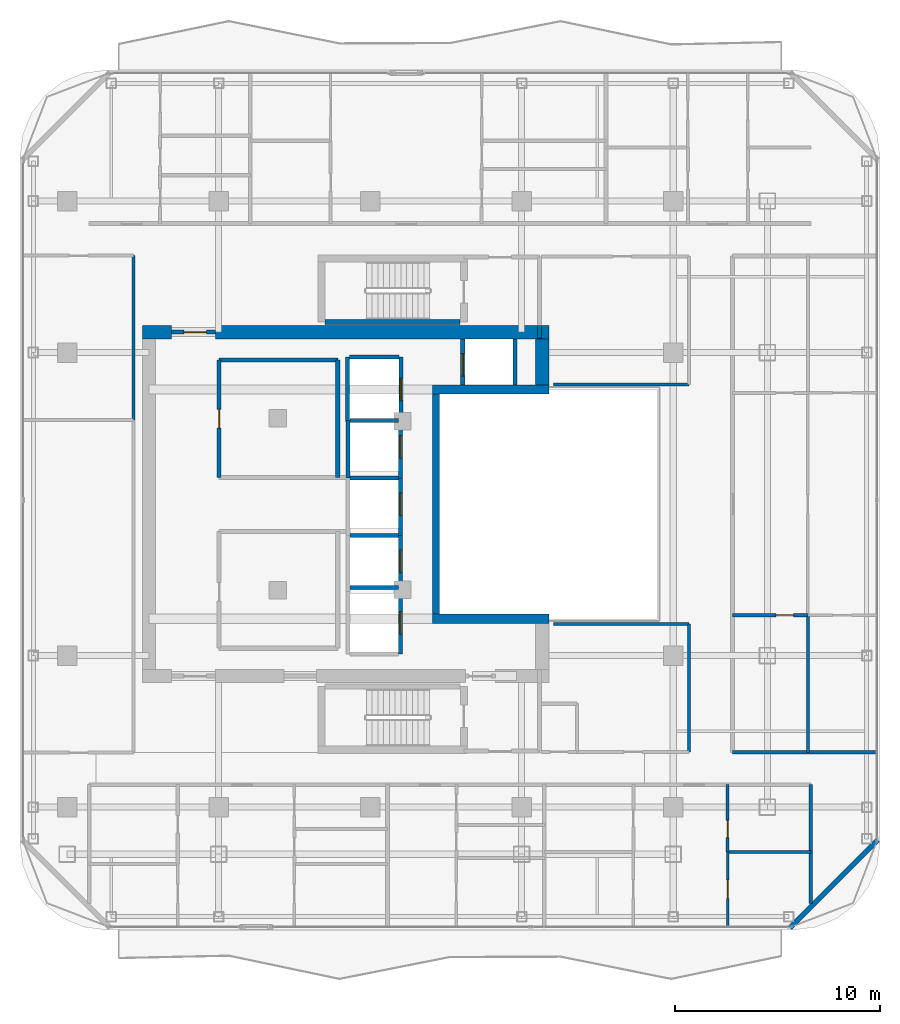
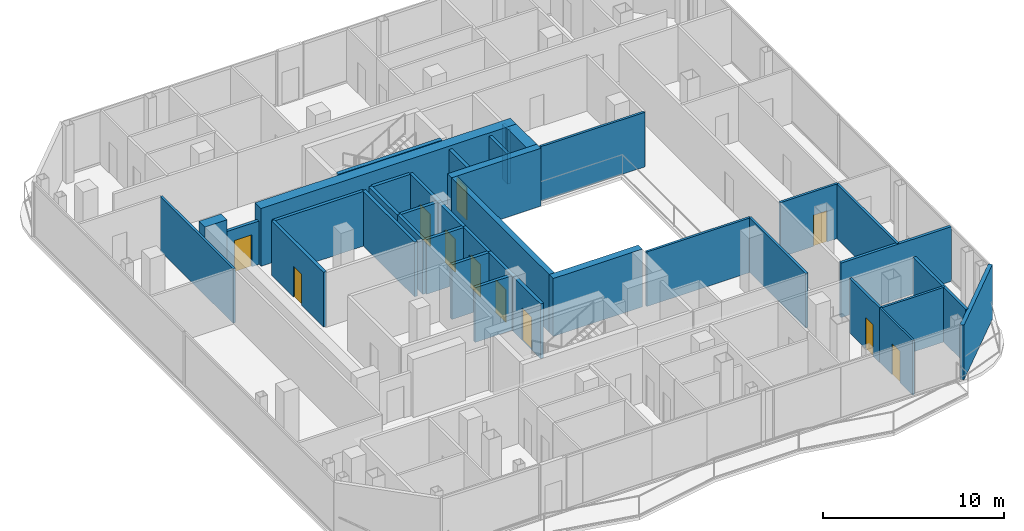
# One storey, part 18 of 23: 38 walls, 11 doors, 11 openings.
"""IFC4 building model written with IfcOpenShell, lengths in metres."""

from ifc_helpers import new_model, si_unit, direction, frame, frame_2d, origin, place, context, subcontext, project, spatial, rectangle, extrude, material, layer, layer_set, type_object, element, fill, save


model = new_model("IFC4")

# Units and contexts
model_context = context("Model", 3, precision=1e-05, world=origin(), true_north=direction((0.0, 1.0)))
body_context = subcontext(model_context, "Body", "Model", "MODEL_VIEW")
ifc_project = project(units=[si_unit("LENGTHUNIT", "METRE"), si_unit("AREAUNIT", "SQUARE_METRE"), si_unit("VOLUMEUNIT", "CUBIC_METRE"), si_unit("PLANEANGLEUNIT", "RADIAN"), si_unit("MASSUNIT", "GRAM", prefix="KILO")], contexts=[model_context])

# Site, building, storey
site_placement = place(None, origin())
site = spatial("IfcSite", under=ifc_project, at=site_placement, CompositionType="ELEMENT")
building_placement = place(site_placement, origin())
building = spatial("IfcBuilding", under=site, at=building_placement, Name="Khorvyn Point Tower", CompositionType="ELEMENT")
storey_placement = place(building_placement, frame((0.0, 0.0, 274.199951171875)))
storey = spatial("IfcBuildingStorey", under=building, at=storey_placement, Name="L67", CompositionType="ELEMENT", Elevation=274.199951171875)

# Walls
ifc_material_1 = material(Name="Double acoustic gypsum on twin steel stud", Category="steel")
ifc_layer_1 = layer(ifc_material_1, 0.179931640625)
ifc_layer_set_1 = layer_set([ifc_layer_1], Name="Acoustic Double-Stud Apartment Demising Wall 180")
wall_type_1 = type_object("IfcWallType", Name="Acoustic Double-Stud Apartment Demising Wall 180", PredefinedType="PARTITIONING", material=ifc_layer_set_1)
wall_1_placement = place(storey_placement, frame((21.52001953125, -19.510009765625, 0.0), z_axis=(0.0, 0.0, 1.0), x_axis=(0.0, 1.0, 0.0)))
element("IfcWall", 1, at=wall_1_placement, inside=storey, type_object=wall_type_1, Name="Wall", PredefinedType="PARTITIONING", context=body_context, shape_type="SweptSolid", body=[
    extrude(rectangle(XDim=5.81005859375, YDim=0.179931640625, at=frame_2d((2.905029296875, 0.0))), origin(), (0.0, 0.0, 1.0), 3.679931640625),
])
wall_2_placement = place(storey_placement, frame((17.699951171875, -12.1201171875, 0.0), z_axis=(0.0, 0.0, 1.0), x_axis=(1.0, 0.0, 0.0)))
element("IfcWall", 2, at=wall_2_placement, inside=storey, type_object=wall_type_1, Name="Wall", PredefinedType="PARTITIONING", context=body_context, shape_type="SweptSolid", body=[
    extrude(rectangle(XDim=7.030029296875, YDim=0.179931640625, at=frame_2d((3.51513671875, 0.0))), origin(), (0.0, 0.0, 1.0), 3.679931640625),
])
ifc_material_2 = material(Name="Pale anodised aluminium rainscreen on steel stud", Category="steel")
ifc_layer_2 = layer(ifc_material_2, 0.239990234375)
ifc_layer_set_2 = layer_set([ifc_layer_2], Name="Anodised Aluminium Insulated Corner Spandrel Wall 240")
wall_type_2 = type_object("IfcWallType", Name="Anodised Aluminium Insulated Corner Spandrel Wall 240", PredefinedType="SOLIDWALL", material=ifc_layer_set_2)
wall_3_placement = place(storey_placement, frame((24.79248046875, -16.40771484375, 0.0), z_axis=(0.0, 0.0, 1.0), x_axis=(-0.707126925818, -0.707086635981, 0.0)))
element("IfcWall", 3, at=wall_3_placement, inside=storey, type_object=wall_type_2, Name="L67 Rounded Corner Wall SE", PredefinedType="SOLIDWALL", context=body_context, shape_type="SweptSolid", body=[
    extrude(rectangle(XDim=6.0595703125, YDim=0.239990234375, at=frame_2d((3.02978515625, 0.0))), origin(), (0.0, 0.0, 1.0), 3.679931640625),
])
ifc_material_3 = material(Name="Concrete C40/50", Category="concrete")
ifc_layer_3 = layer(ifc_material_3, 0.449951171875)
ifc_layer_set_3 = layer_set([ifc_layer_3], Name="Concrete C40/50 Core Shear Wall 450")
wall_type_3 = type_object("IfcWallType", Name="Concrete C40/50 Core Shear Wall 450", PredefinedType="SHEAR", material=ifc_layer_set_3)
for number, where, z_axis, x_axis, name in (
    (4, (3.044921875, -5.60009765625, 0.0), (0.0, 0.0, 1.0), (1.0, 0.0, 0.0), "Wall"),
    (5, (3.044921875, 5.60009765625, 0.0), (0.0, 0.0, 1.0), (1.0, 0.0, 0.0), "Wall"),
):
    element("IfcWall", number, at=place(storey_placement, frame(where, z_axis=z_axis, x_axis=x_axis)), inside=storey, type_object=wall_type_3, Name=name, PredefinedType="SHEAR", context=body_context, shape_type="SweptSolid", body=[
        extrude(rectangle(XDim=5.68017578125, YDim=0.449951171875, at=frame_2d((2.840087890625, 0.0))), origin(), (0.0, 0.0, 1.0), 3.900146484375),
    ])
ifc_layer_4 = layer(ifc_material_3, 0.64990234375)
ifc_layer_set_4 = layer_set([ifc_layer_4], Name="Concrete C40/50 Core Shear Wall 650")
wall_type_4 = type_object("IfcWallType", Name="Concrete C40/50 Core Shear Wall 650", PredefinedType="SHEAR", material=ifc_layer_set_4)
wall_4_placement = place(storey_placement, frame((-11.125, 8.39990234375, 0.0), z_axis=(0.0, 0.0, 1.0), x_axis=(1.0, 0.0, 0.0)))
element("IfcWall", 6, at=wall_4_placement, inside=storey, type_object=wall_type_4, Name="Wall", PredefinedType="SHEAR", context=body_context, shape_type="SweptSolid", body=[
    extrude(rectangle(XDim=1.425048828125, YDim=0.64990234375, at=frame_2d((0.71240234375, 0.0))), origin(), (0.0, 0.0, 1.0), 3.900146484375),
])
wall_5_placement = place(storey_placement, frame((-7.550048828125, 8.39990234375, 0.0), z_axis=(0.0, 0.0, 1.0), x_axis=(1.0, 0.0, 0.0)))
element("IfcWall", 7, at=wall_5_placement, inside=storey, type_object=wall_type_4, Name="Wall", PredefinedType="SHEAR", context=body_context, shape_type="SweptSolid", body=[
    extrude(rectangle(XDim=16.275146484375, YDim=0.64990234375, at=frame_2d((8.1376953125, 0.0))), origin(), (0.0, 0.0, 1.0), 3.900146484375),
])
wall_6_placement = place(storey_placement, frame((8.39990234375, 5.824951171875, 0.0), z_axis=(0.0, 0.0, 1.0), x_axis=(0.0, 1.0, 0.0)))
element("IfcWall", 8, at=wall_6_placement, inside=storey, type_object=wall_type_4, Name="Wall", PredefinedType="SHEAR", context=body_context, shape_type="SweptSolid", body=[
    extrude(rectangle(XDim=2.25, YDim=0.64990234375, at=frame_2d((1.125, 0.0))), origin(), (0.0, 0.0, 1.0), 3.900146484375),
])

# Wall, opening, door
ifc_layer_5 = layer(ifc_material_3, 0.199951171875)
ifc_layer_set_5 = layer_set([ifc_layer_5], Name="Concrete C40/50 Fire-Lobby Compartment Wall 200")
wall_type_5 = type_object("IfcWallType", Name="Concrete C40/50 Fire-Lobby Compartment Wall 200", PredefinedType="SOLIDWALL", material=ifc_layer_set_5)
wall_7_placement = place(storey_placement, frame((-9.699951171875, 8.39990234375, 0.0), z_axis=(0.0, 0.0, 1.0), x_axis=(1.0, 0.0, 0.0)))
wall_7 = element("IfcWall", 9, at=wall_7_placement, inside=storey, type_object=wall_type_5, Name="Wall", PredefinedType="SOLIDWALL", context=body_context, shape_type="SweptSolid", body=[
    extrude(rectangle(XDim=2.14990234375, YDim=0.199951171875, at=frame_2d((1.074951171875, 0.0))), origin(), (0.0, 0.0, 1.0), 2.920166015625),
])
opening_1_placement = place(wall_7_placement, frame((0.597900390625, 0.0, 0.0)))
opening_1 = element("IfcOpeningElement", 10, at=opening_1_placement, cuts=wall_7, Name="Opening ID-FL90", PredefinedType="OPENING", context=body_context, shape_type="SweptSolid", body=[
    extrude(rectangle(XDim=1.10009765625, YDim=2.14990234375, at=frame_2d((0.550048828125, 1.074951171875))), frame((0.0, 0.10986328125, 0.0), z_axis=(0.0, -1.0, 0.0), x_axis=(1.0, 0.0, 0.0)), (0.0, 0.0, 1.0), 0.219970703125),
])
ifc_material_4 = material(Name="Galvanised powder-coated steel", Category="steel")
door_type_1 = type_object("IfcDoorType", Name="Fire-Rated Steel Lobby and Stair Door 1100x2150", OperationType="NOTDEFINED", PredefinedType="DOOR", material=ifc_material_4)
door_1_placement = place(opening_1_placement, origin())
door_1 = element("IfcDoor", 11, at=door_1_placement, inside=storey, type_object=door_type_1, Name="Door", OperationType="SINGLE_SWING_LEFT", OverallHeight=2.14990234375, OverallWidth=1.10009765625, PredefinedType="DOOR", context=body_context, shape_type="SweptSolid", body=[
    extrude(rectangle(XDim=1.10009765625, YDim=2.14990234375, at=frame_2d((0.550048828125, 1.074951171875))), frame((0.0, 0.02490234375, 0.0), z_axis=(0.0, -1.0, 0.0), x_axis=(1.0, 0.0, 0.0)), (0.0, 0.0, 1.0), 0.050048828125),
])
fill(opening_1, door_1)

wall_8_placement = place(storey_placement, frame((-7.3798828125, 1.300048828125, 0.0), z_axis=(0.0, 0.0, 1.0), x_axis=(0.0, 1.0, 0.0)))
wall_8 = element("IfcWall", 12, at=wall_8_placement, inside=storey, type_object=wall_type_5, Name="Wall", PredefinedType="SOLIDWALL", context=body_context, shape_type="SweptSolid", body=[
    extrude(rectangle(XDim=5.739990234375, YDim=0.199951171875, at=frame_2d((2.8701171875, 0.0))), origin(), (0.0, 0.0, 1.0), 3.679931640625),
])
opening_2_placement = place(wall_8_placement, frame((2.409912109375, 0.0, 0.0)))
opening_2 = element("IfcOpeningElement", 13, at=opening_2_placement, cuts=wall_8, Name="Opening ID-RS60", PredefinedType="OPENING", context=body_context, shape_type="SweptSolid", body=[
    extrude(rectangle(XDim=0.919921875, YDim=2.10009765625, at=frame_2d((0.4599609375, 1.050048828125))), frame((0.0, 0.10986328125, 0.0), z_axis=(0.0, -1.0, 0.0), x_axis=(1.0, 0.0, 0.0)), (0.0, 0.0, 1.0), 0.219970703125),
])
door_type_2 = type_object("IfcDoorType", Name="Fire-Rated Riser and Store Steel Door 920x2100", OperationType="NOTDEFINED", PredefinedType="DOOR", material=ifc_material_4)
door_2_placement = place(opening_2_placement, origin())
door_2 = element("IfcDoor", 14, at=door_2_placement, inside=storey, type_object=door_type_2, Name="Door", OperationType="SINGLE_SWING_LEFT", OverallHeight=2.10009765625, OverallWidth=0.919921875, PredefinedType="DOOR", context=body_context, shape_type="SweptSolid", body=[
    extrude(rectangle(XDim=0.919921875, YDim=2.10009765625, at=frame_2d((0.4599609375, 1.050048828125))), frame((0.0, 0.02490234375, 0.0), z_axis=(0.0, -1.0, 0.0), x_axis=(1.0, 0.0, 0.0)), (0.0, 0.0, 1.0), 0.050048828125),
])
fill(opening_2, door_2)

# Walls
wall_9_placement = place(storey_placement, frame((-1.580078125, 1.300048828125, 0.0), z_axis=(0.0, 0.0, 1.0), x_axis=(0.0, 1.0, 0.0)))
element("IfcWall", 15, at=wall_9_placement, inside=storey, type_object=wall_type_5, Name="Wall", PredefinedType="SOLIDWALL", context=body_context, shape_type="SweptSolid", body=[
    extrude(rectangle(XDim=5.739990234375, YDim=0.199951171875, at=frame_2d((2.8701171875, 0.0))), origin(), (0.0, 0.0, 1.0), 3.679931640625),
])
wall_10_placement = place(storey_placement, frame((-7.3798828125, 7.0400390625, 0.0), z_axis=(0.0, 0.0, 1.0), x_axis=(1.0, 0.0, 0.0)))
element("IfcWall", 16, at=wall_10_placement, inside=storey, type_object=wall_type_5, Name="Wall", PredefinedType="SOLIDWALL", context=body_context, shape_type="SweptSolid", body=[
    extrude(rectangle(XDim=5.7998046875, YDim=0.199951171875, at=frame_2d((2.89990234375, 0.0))), origin(), (0.0, 0.0, 1.0), 3.679931640625),
])
wall_11_placement = place(storey_placement, frame((8.280029296875, 8.10009765625, 0.0), z_axis=(0.0, 0.0, 1.0), x_axis=(0.0, 1.0, 0.0)))
element("IfcWall", 17, at=wall_11_placement, inside=storey, type_object=wall_type_5, Name="Wall", PredefinedType="SOLIDWALL", context=body_context, shape_type="SweptSolid", body=[
    extrude(rectangle(XDim=0.625, YDim=0.199951171875, at=frame_2d((0.3125, 0.0))), origin(), (0.0, 0.0, 1.0), 3.679931640625),
])
ifc_layer_6 = layer(ifc_material_3, 0.25)
ifc_layer_set_6 = layer_set([ifc_layer_6], Name="Concrete C40/50 Stair Inner Cheek Structural Wall 250")
wall_type_6 = type_object("IfcWallType", Name="Concrete C40/50 Stair Inner Cheek Structural Wall 250", PredefinedType="SHEAR", material=ifc_layer_set_6)
wall_12_placement = place(storey_placement, frame((-2.199951171875, 8.89990234375, 0.0), z_axis=(0.0, 0.0, 1.0), x_axis=(1.0, 0.0, 0.0)))
element("IfcWall", 18, at=wall_12_placement, inside=storey, type_object=wall_type_6, Name="Wall", PredefinedType="SHEAR", context=body_context, shape_type="SweptSolid", body=[
    extrude(rectangle(XDim=6.599853515625, YDim=0.25, at=frame_2d((3.2998046875, 0.0))), origin(), (0.0, 0.0, 1.0), 3.900146484375),
])
ifc_layer_7 = layer(ifc_material_3, 0.35009765625)
ifc_layer_set_7 = layer_set([ifc_layer_7], Name="Concrete C40/50 Stair Shaft Structural Wall 350")
wall_type_7 = type_object("IfcWallType", Name="Concrete C40/50 Stair Shaft Structural Wall 350", PredefinedType="SHEAR", material=ifc_layer_set_7)
wall_13_placement = place(storey_placement, frame((3.219970703125, -5.375, 0.0), z_axis=(0.0, 0.0, 1.0), x_axis=(0.0, 1.0, 0.0)))
element("IfcWall", 19, at=wall_13_placement, inside=storey, type_object=wall_type_7, Name="Wall", PredefinedType="SHEAR", context=body_context, shape_type="SweptSolid", body=[
    extrude(rectangle(XDim=10.75, YDim=0.35009765625, at=frame_2d((5.375, 0.0))), origin(), (0.0, 0.0, 1.0), 3.900146484375),
])

# Wall, opening, door
ifc_layer_8 = layer(ifc_material_3, 0.199951171875)
ifc_layer_set_8 = layer_set([ifc_layer_8], Name="Concrete C40/50 Structural Hoistway and Stair Shaft Wall 200")
wall_type_8 = type_object("IfcWallType", Name="Concrete C40/50 Structural Hoistway and Stair Shaft Wall 200", PredefinedType="SHEAR", material=ifc_layer_set_8)
wall_14_placement = place(storey_placement, frame((1.47509765625, -4.27490234375, 0.0), z_axis=(0.0, 0.0, 1.0), x_axis=(0.0, 1.0, 0.0)))
wall_14 = element("IfcWall", 20, at=wall_14_placement, inside=storey, type_object=wall_type_8, Name="Wall", PredefinedType="SHEAR", context=body_context, shape_type="SweptSolid", body=[
    extrude(rectangle(XDim=2.75, YDim=0.199951171875, at=frame_2d((1.375, 0.0))), origin(), (0.0, 0.0, 1.0), 3.679931640625),
])
opening_3_placement = place(wall_14_placement, frame((0.925048828125, 0.0, 0.0)))
opening_3 = element("IfcOpeningElement", 21, at=opening_3_placement, cuts=wall_14, Name="Opening LD-1122", PredefinedType="OPENING", context=body_context, shape_type="SweptSolid", body=[
    extrude(rectangle(XDim=1.10009765625, YDim=2.199951171875, at=frame_2d((0.550048828125, 1.10009765625))), frame((0.0, 0.10986328125, 0.0), z_axis=(0.0, -1.0, 0.0), x_axis=(1.0, 0.0, 0.0)), (0.0, 0.0, 1.0), 0.219970703125),
])
ifc_material_5 = material(Name="Stainless steel 1.4301", Category="steel")
door_type_3 = type_object("IfcDoorType", Name="Stainless Steel Automatic Sliding Lift Landing Door 1100x2200", OperationType="SLIDING_TO_LEFT", PredefinedType="DOOR", material=ifc_material_5)
door_3_placement = place(opening_3_placement, origin())
door_3 = element("IfcDoor", 22, at=door_3_placement, inside=storey, type_object=door_type_3, Name="L67 RH-01 Sliding Lift Landing Door", OperationType="SLIDING_TO_LEFT", OverallHeight=2.199951171875, OverallWidth=1.10009765625, PredefinedType="DOOR", context=body_context, shape_type="SweptSolid", body=[
    extrude(rectangle(XDim=1.10009765625, YDim=2.199951171875, at=frame_2d((0.550048828125, 1.10009765625))), frame((0.0, 0.02490234375, 0.0), z_axis=(0.0, -1.0, 0.0), x_axis=(1.0, 0.0, 0.0)), (0.0, 0.0, 1.0), 0.050048828125),
])
fill(opening_3, door_3)

# Walls
for number, where, z_axis, x_axis, name in (
    (23, (-0.97509765625, -4.074951171875, 0.0), (0.0, 0.0, 1.0), (1.0, 0.0, 0.0), "Wall"),
    (24, (-0.97509765625, -1.52490234375, 0.0), (0.0, 0.0, 1.0), (1.0, 0.0, 0.0), "Wall"),
):
    element("IfcWall", number, at=place(storey_placement, frame(where, z_axis=z_axis, x_axis=x_axis)), inside=storey, type_object=wall_type_8, Name=name, PredefinedType="SHEAR", context=body_context, shape_type="SweptSolid", body=[
        extrude(rectangle(XDim=2.35009765625, YDim=0.199951171875, at=frame_2d((1.175048828125, 0.0))), origin(), (0.0, 0.0, 1.0), 3.679931640625),
    ])

# Wall, opening, door
wall_15_placement = place(storey_placement, frame((1.47509765625, -1.52490234375, 0.0), z_axis=(0.0, 0.0, 1.0), x_axis=(0.0, 1.0, 0.0)))
wall_15 = element("IfcWall", 25, at=wall_15_placement, inside=storey, type_object=wall_type_8, Name="Wall", PredefinedType="SHEAR", context=body_context, shape_type="SweptSolid", body=[
    extrude(rectangle(XDim=2.7998046875, YDim=0.199951171875, at=frame_2d((1.39990234375, 0.0))), origin(), (0.0, 0.0, 1.0), 3.679931640625),
])
opening_4_placement = place(wall_15_placement, frame((0.97509765625, 0.0, 0.0)))
opening_4 = element("IfcOpeningElement", 26, at=opening_4_placement, cuts=wall_15, Name="Opening LD-1122", PredefinedType="OPENING", context=body_context, shape_type="SweptSolid", body=[
    extrude(rectangle(XDim=1.10009765625, YDim=2.199951171875, at=frame_2d((0.550048828125, 1.10009765625))), frame((0.0, 0.10986328125, 0.0), z_axis=(0.0, -1.0, 0.0), x_axis=(1.0, 0.0, 0.0)), (0.0, 0.0, 1.0), 0.219970703125),
])
door_4_placement = place(opening_4_placement, origin())
door_4 = element("IfcDoor", 27, at=door_4_placement, inside=storey, type_object=door_type_3, Name="L67 RH-02 Sliding Lift Landing Door", OperationType="SLIDING_TO_LEFT", OverallHeight=2.199951171875, OverallWidth=1.10009765625, PredefinedType="DOOR", context=body_context, shape_type="SweptSolid", body=[
    extrude(rectangle(XDim=1.10009765625, YDim=2.199951171875, at=frame_2d((0.550048828125, 1.10009765625))), frame((0.0, 0.02490234375, 0.0), z_axis=(0.0, -1.0, 0.0), x_axis=(1.0, 0.0, 0.0)), (0.0, 0.0, 1.0), 0.050048828125),
])
fill(opening_4, door_4)

# Walls
wall_16_placement = place(storey_placement, frame((-0.97509765625, 1.27490234375, 0.0), z_axis=(0.0, 0.0, 1.0), x_axis=(1.0, 0.0, 0.0)))
element("IfcWall", 28, at=wall_16_placement, inside=storey, type_object=wall_type_8, Name="Wall", PredefinedType="SHEAR", context=body_context, shape_type="SweptSolid", body=[
    extrude(rectangle(XDim=2.35009765625, YDim=0.199951171875, at=frame_2d((1.175048828125, 0.0))), origin(), (0.0, 0.0, 1.0), 3.679931640625),
])
wall_17_placement = place(storey_placement, frame((-1.074951171875, 1.27490234375, 0.0), z_axis=(0.0, 0.0, 1.0), x_axis=(0.0, 1.0, 0.0)))
element("IfcWall", 29, at=wall_17_placement, inside=storey, type_object=wall_type_8, Name="Wall", PredefinedType="SHEAR", context=body_context, shape_type="SweptSolid", body=[
    extrude(rectangle(XDim=2.800048828125, YDim=0.199951171875, at=frame_2d((1.39990234375, 0.0))), origin(), (0.0, 0.0, 1.0), 3.679931640625),
])

# Wall, opening, door
wall_18_placement = place(storey_placement, frame((1.47509765625, 1.27490234375, 0.0), z_axis=(0.0, 0.0, 1.0), x_axis=(0.0, 1.0, 0.0)))
wall_18 = element("IfcWall", 30, at=wall_18_placement, inside=storey, type_object=wall_type_8, Name="Wall", PredefinedType="SHEAR", context=body_context, shape_type="SweptSolid", body=[
    extrude(rectangle(XDim=2.800048828125, YDim=0.199951171875, at=frame_2d((1.39990234375, 0.0))), origin(), (0.0, 0.0, 1.0), 3.679931640625),
])
opening_5_placement = place(wall_18_placement, frame((0.97509765625, 0.0, 0.0)))
opening_5 = element("IfcOpeningElement", 31, at=opening_5_placement, cuts=wall_18, Name="Opening LD-1122", PredefinedType="OPENING", context=body_context, shape_type="SweptSolid", body=[
    extrude(rectangle(XDim=1.10009765625, YDim=2.199951171875, at=frame_2d((0.550048828125, 1.10009765625))), frame((0.0, 0.10986328125, 0.0), z_axis=(0.0, -1.0, 0.0), x_axis=(1.0, 0.0, 0.0)), (0.0, 0.0, 1.0), 0.219970703125),
])
door_5_placement = place(opening_5_placement, origin())
door_5 = element("IfcDoor", 32, at=door_5_placement, inside=storey, type_object=door_type_3, Name="L67 RH-03 Sliding Lift Landing Door", OperationType="SLIDING_TO_LEFT", OverallHeight=2.199951171875, OverallWidth=1.10009765625, PredefinedType="DOOR", context=body_context, shape_type="SweptSolid", body=[
    extrude(rectangle(XDim=1.10009765625, YDim=2.199951171875, at=frame_2d((0.550048828125, 1.10009765625))), frame((0.0, 0.02490234375, 0.0), z_axis=(0.0, -1.0, 0.0), x_axis=(1.0, 0.0, 0.0)), (0.0, 0.0, 1.0), 0.050048828125),
])
fill(opening_5, door_5)

# Walls
wall_19_placement = place(storey_placement, frame((-0.97509765625, 4.074951171875, 0.0), z_axis=(0.0, 0.0, 1.0), x_axis=(1.0, 0.0, 0.0)))
element("IfcWall", 33, at=wall_19_placement, inside=storey, type_object=wall_type_8, Name="Wall", PredefinedType="SHEAR", context=body_context, shape_type="SweptSolid", body=[
    extrude(rectangle(XDim=2.35009765625, YDim=0.199951171875, at=frame_2d((1.175048828125, 0.0))), origin(), (0.0, 0.0, 1.0), 3.679931640625),
])
wall_20_placement = place(storey_placement, frame((-1.10009765625, 4.02490234375, 0.0), z_axis=(0.0, 0.0, 1.0), x_axis=(0.0, 1.0, 0.0)))
element("IfcWall", 34, at=wall_20_placement, inside=storey, type_object=wall_type_8, Name="Wall", PredefinedType="SHEAR", context=body_context, shape_type="SweptSolid", body=[
    extrude(rectangle(XDim=3.150146484375, YDim=0.199951171875, at=frame_2d((1.5751953125, 0.0))), origin(), (0.0, 0.0, 1.0), 3.679931640625),
])

# Wall, opening, door
wall_21_placement = place(storey_placement, frame((1.5, 4.02490234375, 0.0), z_axis=(0.0, 0.0, 1.0), x_axis=(0.0, 1.0, 0.0)))
wall_21 = element("IfcWall", 35, at=wall_21_placement, inside=storey, type_object=wall_type_8, Name="Wall", PredefinedType="SHEAR", context=body_context, shape_type="SweptSolid", body=[
    extrude(rectangle(XDim=3.150146484375, YDim=0.199951171875, at=frame_2d((1.5751953125, 0.0))), origin(), (0.0, 0.0, 1.0), 3.679931640625),
])
opening_6_placement = place(wall_21_placement, frame((1.02490234375, 0.0, 0.0)))
opening_6 = element("IfcOpeningElement", 36, at=opening_6_placement, cuts=wall_21, Name="Opening LD-1122", PredefinedType="OPENING", context=body_context, shape_type="SweptSolid", body=[
    extrude(rectangle(XDim=1.10009765625, YDim=2.199951171875, at=frame_2d((0.550048828125, 1.10009765625))), frame((0.0, 0.10986328125, 0.0), z_axis=(0.0, -1.0, 0.0), x_axis=(1.0, 0.0, 0.0)), (0.0, 0.0, 1.0), 0.219970703125),
])
door_6_placement = place(opening_6_placement, origin())
door_6 = element("IfcDoor", 37, at=door_6_placement, inside=storey, type_object=door_type_3, Name="L67 SV-01 Sliding Lift Landing Door", OperationType="SLIDING_TO_LEFT", OverallHeight=2.199951171875, OverallWidth=1.10009765625, PredefinedType="DOOR", context=body_context, shape_type="SweptSolid", body=[
    extrude(rectangle(XDim=1.10009765625, YDim=2.199951171875, at=frame_2d((0.550048828125, 1.10009765625))), frame((0.0, 0.02490234375, 0.0), z_axis=(0.0, -1.0, 0.0), x_axis=(1.0, 0.0, 0.0)), (0.0, 0.0, 1.0), 0.050048828125),
])
fill(opening_6, door_6)

# Wall
wall_22_placement = place(storey_placement, frame((-1.0, 7.175048828125, 0.0), z_axis=(0.0, 0.0, 1.0), x_axis=(1.0, 0.0, 0.0)))
element("IfcWall", 38, at=wall_22_placement, inside=storey, type_object=wall_type_8, Name="Wall", PredefinedType="SHEAR", context=body_context, shape_type="SweptSolid", body=[
    extrude(rectangle(XDim=2.39990234375, YDim=0.199951171875, at=frame_2d((1.199951171875, 0.0))), origin(), (0.0, 0.0, 1.0), 3.679931640625),
])

# Wall, opening, door
wall_23_placement = place(storey_placement, frame((1.47509765625, -7.324951171875, 0.0), z_axis=(0.0, 0.0, 1.0), x_axis=(0.0, 1.0, 0.0)))
wall_23 = element("IfcWall", 39, at=wall_23_placement, inside=storey, type_object=wall_type_8, Name="Wall", PredefinedType="SHEAR", context=body_context, shape_type="SweptSolid", body=[
    extrude(rectangle(XDim=3.050048828125, YDim=0.199951171875, at=frame_2d((1.52490234375, 0.0))), origin(), (0.0, 0.0, 1.0), 3.679931640625),
])
opening_7_placement = place(wall_23_placement, frame((0.97509765625, 0.0, 0.0)))
opening_7 = element("IfcOpeningElement", 40, at=opening_7_placement, cuts=wall_23, Name="Opening LD-1122", PredefinedType="OPENING", context=body_context, shape_type="SweptSolid", body=[
    extrude(rectangle(XDim=1.10009765625, YDim=2.199951171875, at=frame_2d((0.550048828125, 1.10009765625))), frame((0.0, 0.10986328125, 0.0), z_axis=(0.0, -1.0, 0.0), x_axis=(1.0, 0.0, 0.0)), (0.0, 0.0, 1.0), 0.219970703125),
])
door_7_placement = place(opening_7_placement, origin())
door_7 = element("IfcDoor", 41, at=door_7_placement, inside=storey, type_object=door_type_3, Name="L67 FF-01 Sliding Lift Landing Door", OperationType="SLIDING_TO_LEFT", OverallHeight=2.199951171875, OverallWidth=1.10009765625, PredefinedType="DOOR", context=body_context, shape_type="SweptSolid", body=[
    extrude(rectangle(XDim=1.10009765625, YDim=2.199951171875, at=frame_2d((0.550048828125, 1.10009765625))), frame((0.0, 0.02490234375, 0.0), z_axis=(0.0, -1.0, 0.0), x_axis=(1.0, 0.0, 0.0)), (0.0, 0.0, 1.0), 0.050048828125),
])
fill(opening_7, door_7)

wall_24_placement = place(storey_placement, frame((4.52490234375, 5.824951171875, 0.0), z_axis=(0.0, 0.0, 1.0), x_axis=(0.0, 1.0, 0.0)))
wall_24 = element("IfcWall", 42, at=wall_24_placement, inside=storey, type_object=wall_type_8, Name="Wall", PredefinedType="SHEAR", context=body_context, shape_type="SweptSolid", body=[
    extrude(rectangle(XDim=2.25, YDim=0.199951171875, at=frame_2d((1.125, 0.0))), origin(), (0.0, 0.0, 1.0), 3.679931640625),
])
opening_8_placement = place(wall_24_placement, frame((0.425048828125, 0.0, 0.0)))
opening_8 = element("IfcOpeningElement", 43, at=opening_8_placement, cuts=wall_24, Name="Opening LD-1122", PredefinedType="OPENING", context=body_context, shape_type="SweptSolid", body=[
    extrude(rectangle(XDim=1.10009765625, YDim=2.199951171875, at=frame_2d((0.550048828125, 1.10009765625))), frame((0.0, 0.10986328125, 0.0), z_axis=(0.0, -1.0, 0.0), x_axis=(1.0, 0.0, 0.0)), (0.0, 0.0, 1.0), 0.219970703125),
])
door_8_placement = place(opening_8_placement, origin())
door_8 = element("IfcDoor", 44, at=door_8_placement, inside=storey, type_object=door_type_3, Name="L67 FF-02 Sliding Lift Landing Door", OperationType="SLIDING_TO_LEFT", OverallHeight=2.199951171875, OverallWidth=1.10009765625, PredefinedType="DOOR", context=body_context, shape_type="SweptSolid", body=[
    extrude(rectangle(XDim=1.10009765625, YDim=2.199951171875, at=frame_2d((0.550048828125, 1.10009765625))), frame((0.0, 0.02490234375, 0.0), z_axis=(0.0, -1.0, 0.0), x_axis=(1.0, 0.0, 0.0)), (0.0, 0.0, 1.0), 0.050048828125),
])
fill(opening_8, door_8)

# Wall
wall_25_placement = place(storey_placement, frame((7.074951171875, 5.824951171875, 0.0), z_axis=(0.0, 0.0, 1.0), x_axis=(0.0, 1.0, 0.0)))
element("IfcWall", 45, at=wall_25_placement, inside=storey, type_object=wall_type_8, Name="Wall", PredefinedType="SHEAR", context=body_context, shape_type="SweptSolid", body=[
    extrude(rectangle(XDim=2.25, YDim=0.199951171875, at=frame_2d((1.125, 0.0))), origin(), (0.0, 0.0, 1.0), 3.679931640625),
])

# Wall, opening, door
ifc_material_6 = material(Name="Gypsum plasterboard on steel stud", Category="steel")
ifc_layer_9 = layer(ifc_material_6, 0.1201171875)
ifc_layer_set_9 = layer_set([ifc_layer_9], Name="Gypsum Acoustic Stud Room Partition Wall 120")
wall_type_9 = type_object("IfcWallType", Name="Gypsum Acoustic Stud Room Partition Wall 120", PredefinedType="PARTITIONING", material=ifc_layer_set_9)
wall_26_placement = place(storey_placement, frame((17.458984375, -20.6298828125, 0.0), z_axis=(0.0, 0.0, 1.0), x_axis=(0.0, 1.0, 0.0)))
wall_26 = element("IfcWall", 46, at=wall_26_placement, inside=storey, type_object=wall_type_9, Name="Wall", PredefinedType="PARTITIONING", context=body_context, shape_type="SweptSolid", body=[
    extrude(rectangle(XDim=3.64697265625, YDim=0.1201171875, at=frame_2d((1.823486328125, 0.0))), origin(), (0.0, 0.0, 1.0), 3.679931640625),
])
opening_9_placement = place(wall_26_placement, frame((1.37353515625, 0.0, 0.0)))
opening_9 = element("IfcOpeningElement", 47, at=opening_9_placement, cuts=wall_26, Name="Opening ID-RM90", PredefinedType="OPENING", context=body_context, shape_type="SweptSolid", body=[
    extrude(rectangle(XDim=0.89990234375, YDim=2.10009765625, at=frame_2d((0.449951171875, 1.050048828125))), frame((0.0, 0.070068359375, 0.0), z_axis=(0.0, -1.0, 0.0), x_axis=(1.0, 0.0, 0.0)), (0.0, 0.0, 1.0), 0.14013671875),
])
ifc_material_7 = material(Name="Engineered oak veneer timber", Category="wood")
door_type_4 = type_object("IfcDoorType", Name="Flush Engineered Timber Room Door 900x2100", OperationType="NOTDEFINED", PredefinedType="DOOR", material=ifc_material_7)
door_9_placement = place(opening_9_placement, origin())
door_9 = element("IfcDoor", 48, at=door_9_placement, inside=storey, type_object=door_type_4, Name="Door", OperationType="SINGLE_SWING_RIGHT", OverallHeight=2.10009765625, OverallWidth=0.89990234375, PredefinedType="DOOR", context=body_context, shape_type="SweptSolid", body=[
    extrude(rectangle(XDim=0.89990234375, YDim=2.10009765625, at=frame_2d((0.449951171875, 1.050048828125))), frame((0.0, 0.02490234375, 0.0), z_axis=(0.0, -1.0, 0.0), x_axis=(1.0, 0.0, 0.0)), (0.0, 0.0, 1.0), 0.050048828125),
])
fill(opening_9, door_9)

ifc_material_8 = material(Name="Moisture-resistant gypsum and cement board", Category="gypsum")
ifc_layer_10 = layer(ifc_material_8, 0.14990234375)
ifc_layer_set_10 = layer_set([ifc_layer_10], Name="Moisture-Resistant Wet-Room Partition Wall 150")
wall_type_10 = type_object("IfcWallType", Name="Moisture-Resistant Wet-Room Partition Wall 150", PredefinedType="PARTITIONING", material=ifc_layer_set_10)
wall_27_placement = place(storey_placement, frame((17.458984375, -16.98291015625, 0.0), z_axis=(0.0, 0.0, 1.0), x_axis=(0.0, 1.0, 0.0)))
wall_27 = element("IfcWall", 49, at=wall_27_placement, inside=storey, type_object=wall_type_10, Name="Wall", PredefinedType="PARTITIONING", context=body_context, shape_type="SweptSolid", body=[
    extrude(rectangle(XDim=3.282958984375, YDim=0.14990234375, at=frame_2d((1.6416015625, 0.0))), origin(), (0.0, 0.0, 1.0), 3.679931640625),
])
opening_10_placement = place(wall_27_placement, frame((0.688232421875, 0.0, 0.0)))
opening_10 = element("IfcOpeningElement", 50, at=opening_10_placement, cuts=wall_27, Name="Opening ID-WC85", PredefinedType="OPENING", context=body_context, shape_type="SweptSolid", body=[
    extrude(rectangle(XDim=0.85009765625, YDim=2.10009765625, at=frame_2d((0.425048828125, 1.050048828125))), frame((0.0, 0.0849609375, 0.0), z_axis=(0.0, -1.0, 0.0), x_axis=(1.0, 0.0, 0.0)), (0.0, 0.0, 1.0), 0.169921875),
])
ifc_material_9 = material(Name="High-pressure laminate on moisture-resistant core", Category="wood")
door_type_5 = type_object("IfcDoorType", Name="Moisture-Resistant Accessible Washroom Door 850x2100", OperationType="NOTDEFINED", PredefinedType="DOOR", material=ifc_material_9)
door_10_placement = place(opening_10_placement, origin())
door_10 = element("IfcDoor", 51, at=door_10_placement, inside=storey, type_object=door_type_5, Name="Door", OperationType="SINGLE_SWING_LEFT", OverallHeight=2.10009765625, OverallWidth=0.85009765625, PredefinedType="DOOR", context=body_context, shape_type="SweptSolid", body=[
    extrude(rectangle(XDim=0.85009765625, YDim=2.10009765625, at=frame_2d((0.425048828125, 1.050048828125))), frame((0.0, 0.02490234375, 0.0), z_axis=(0.0, -1.0, 0.0), x_axis=(1.0, 0.0, 0.0)), (0.0, 0.0, 1.0), 0.050048828125),
])
fill(opening_10, door_10)

wall_28_placement = place(storey_placement, frame((17.699951171875, -5.427978515625, 0.0), z_axis=(0.0, 0.0, 1.0), x_axis=(1.0, 0.0, 0.0)))
wall_28 = element("IfcWall", 52, at=wall_28_placement, inside=storey, type_object=wall_type_10, Name="Wall", PredefinedType="PARTITIONING", context=body_context, shape_type="SweptSolid", body=[
    extrude(rectangle(XDim=3.677001953125, YDim=0.14990234375, at=frame_2d((1.83837890625, 0.0))), origin(), (0.0, 0.0, 1.0), 3.679931640625),
])
opening_11_placement = place(wall_28_placement, frame((2.1298828125, 0.0, 0.0)))
opening_11 = element("IfcOpeningElement", 53, at=opening_11_placement, cuts=wall_28, Name="Opening ID-WC85", PredefinedType="OPENING", context=body_context, shape_type="SweptSolid", body=[
    extrude(rectangle(XDim=0.85009765625, YDim=2.10009765625, at=frame_2d((0.425048828125, 1.050048828125))), frame((0.0, 0.0849609375, 0.0), z_axis=(0.0, -1.0, 0.0), x_axis=(1.0, 0.0, 0.0)), (0.0, 0.0, 1.0), 0.169921875),
])
door_11_placement = place(opening_11_placement, origin())
door_11 = element("IfcDoor", 54, at=door_11_placement, inside=storey, type_object=door_type_5, Name="Door", OperationType="SINGLE_SWING_RIGHT", OverallHeight=2.10009765625, OverallWidth=0.85009765625, PredefinedType="DOOR", context=body_context, shape_type="SweptSolid", body=[
    extrude(rectangle(XDim=0.85009765625, YDim=2.10009765625, at=frame_2d((0.425048828125, 1.050048828125))), frame((0.0, 0.02490234375, 0.0), z_axis=(0.0, -1.0, 0.0), x_axis=(1.0, 0.0, 0.0)), (0.0, 0.0, 1.0), 0.050048828125),
])
fill(opening_11, door_11)

# Walls
wall_29_placement = place(storey_placement, frame((15.580078125, -12.10009765625, 0.0), z_axis=(0.0, 0.0, 1.0), x_axis=(0.0, 1.0, 0.0)))
element("IfcWall", 55, at=wall_29_placement, inside=storey, type_object=wall_type_10, Name="Wall", PredefinedType="PARTITIONING", context=body_context, shape_type="SweptSolid", body=[
    extrude(rectangle(XDim=6.25, YDim=0.14990234375, at=frame_2d((3.125, 0.0))), origin(), (0.0, 0.0, 1.0), 3.679931640625),
])
for number, where, z_axis, x_axis, name in (
    (56, (8.9599609375, -5.85009765625, 0.0), (0.0, 0.0, 1.0), (1.0, 0.0, 0.0), "Wall"),
    (57, (8.9599609375, 5.85009765625, 0.0), (0.0, 0.0, 1.0), (1.0, 0.0, 0.0), "Wall"),
):
    element("IfcWall", number, at=place(storey_placement, frame(where, z_axis=z_axis, x_axis=x_axis)), inside=storey, type_object=wall_type_10, Name=name, PredefinedType="PARTITIONING", context=body_context, shape_type="SweptSolid", body=[
        extrude(rectangle(XDim=6.6201171875, YDim=0.14990234375, at=frame_2d((3.31005859375, 0.0))), origin(), (0.0, 0.0, 1.0), 3.679931640625),
    ])
wall_30_placement = place(storey_placement, frame((17.458984375, -16.98291015625, 0.0), z_axis=(0.0, 0.0, 1.0), x_axis=(1.0, 0.0, 0.0)))
element("IfcWall", 58, at=wall_30_placement, inside=storey, type_object=wall_type_10, Name="Wall", PredefinedType="PARTITIONING", context=body_context, shape_type="SweptSolid", body=[
    extrude(rectangle(XDim=4.06103515625, YDim=0.14990234375, at=frame_2d((2.030517578125, 0.0))), origin(), (0.0, 0.0, 1.0), 3.679931640625),
])
wall_31_placement = place(storey_placement, frame((-11.550048828125, 4.10009765625, 0.0), z_axis=(0.0, 0.0, 1.0), x_axis=(0.0, 1.0, 0.0)))
element("IfcWall", 59, at=wall_31_placement, inside=storey, type_object=wall_type_10, Name="Wall", PredefinedType="PARTITIONING", context=body_context, shape_type="SweptSolid", body=[
    extrude(rectangle(XDim=8.039794921875, YDim=0.14990234375, at=frame_2d((4.02001953125, 0.0))), origin(), (0.0, 0.0, 1.0), 3.679931640625),
])
wall_32_placement = place(storey_placement, frame((21.376953125, -12.1201171875, 0.0), z_axis=(0.0, 0.0, 1.0), x_axis=(0.0, 1.0, 0.0)))
element("IfcWall", 60, at=wall_32_placement, inside=storey, type_object=wall_type_10, Name="Wall", PredefinedType="PARTITIONING", context=body_context, shape_type="SweptSolid", body=[
    extrude(rectangle(XDim=6.692138671875, YDim=0.14990234375, at=frame_2d((3.34619140625, 0.0))), origin(), (0.0, 0.0, 1.0), 3.679931640625),
])

save(model, "model.ifc")
